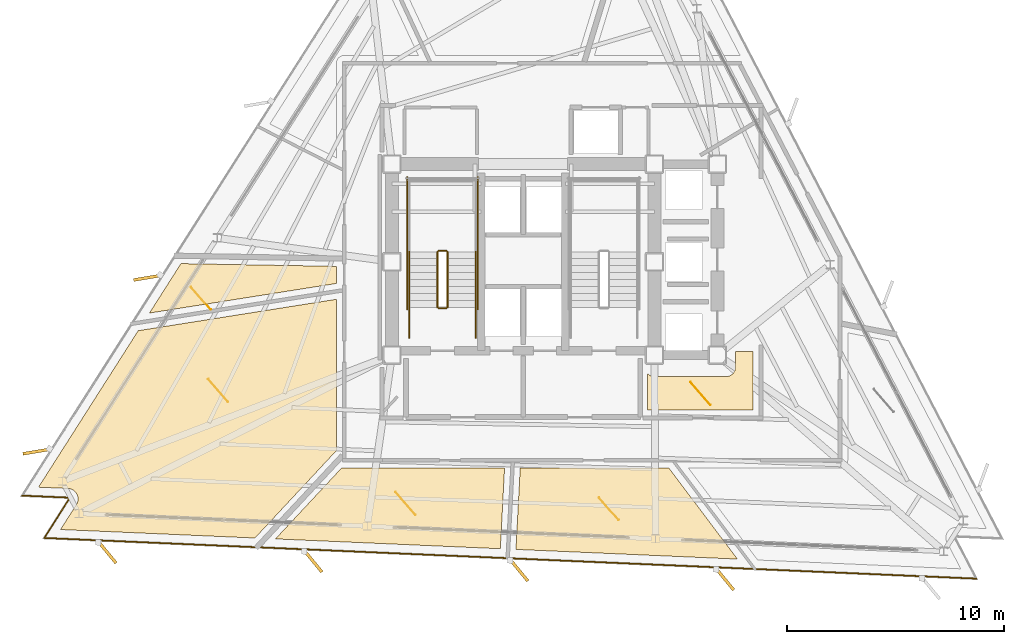
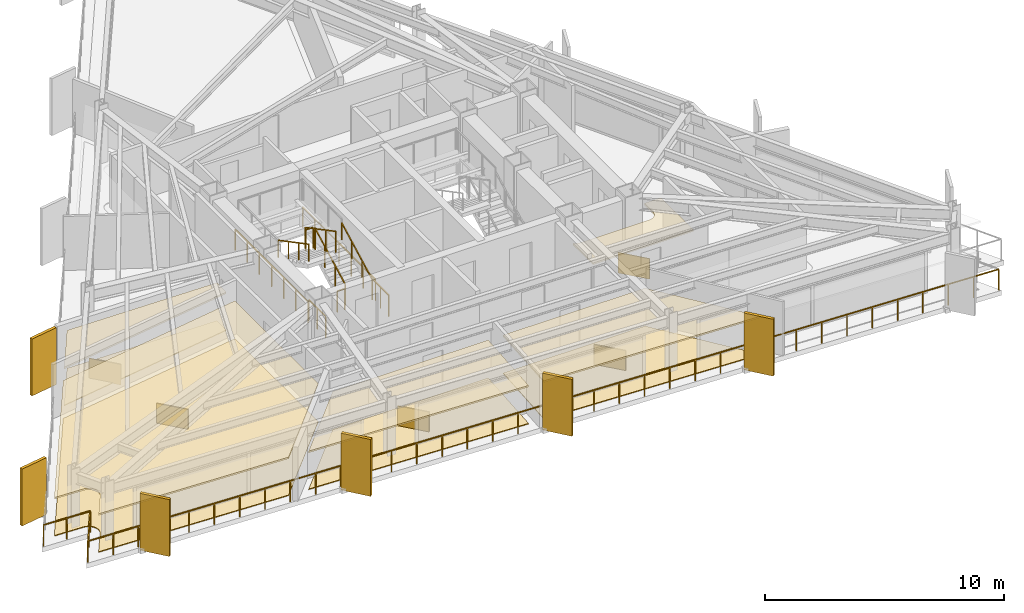
# One storey, part 10 of 12: 14 coverings, 11 railings, 6 shading devices.
"""IFC4 building model written with IfcOpenShell, lengths in metres."""

from ifc_helpers import new_model, si_unit, direction, frame, origin, origin_2d, place, context, subcontext, project, spatial, polyline, rectangle, outline, extrude, material, layer, layer_set, type_object, element, save


model = new_model("IFC4")

# Units and contexts
model_context = context("Model", 3, precision=1e-05, world=origin(), true_north=direction((0.0, 1.0)))
body_context = subcontext(model_context, "Body", "Model", "MODEL_VIEW")
ifc_project = project(units=[si_unit("LENGTHUNIT", "METRE"), si_unit("AREAUNIT", "SQUARE_METRE"), si_unit("VOLUMEUNIT", "CUBIC_METRE"), si_unit("PLANEANGLEUNIT", "RADIAN"), si_unit("MASSUNIT", "GRAM", prefix="KILO")], contexts=[model_context])

# Site, building, storey
site_placement = place(None, origin())
site = spatial("IfcSite", under=ifc_project, at=site_placement, CompositionType="ELEMENT")
building_placement = place(site_placement, origin())
building = spatial("IfcBuilding", under=site, at=building_placement, Name="Rocaltana Carrier Exchange", CompositionType="ELEMENT")
storey_placement = place(building_placement, frame((0.0, 0.0, 141.1201171875)))
storey = spatial("IfcBuildingStorey", under=building, at=storey_placement, Name="L44", CompositionType="ELEMENT", Elevation=141.1201171875)

# Coverings
ifc_material_1 = material(Name="Honed Bogota Sandstone Tile", Category="masonry")
ifc_layer_1 = layer(ifc_material_1, 0.0400390625)
ifc_layer_set_1 = layer_set([ifc_layer_1], Name="Honed Bogota Sandstone Tile")
covering_type_1 = type_object("IfcCoveringType", Name="Honed Stone Lobby Flooring 40", PredefinedType="FLOORING", material=ifc_layer_set_1)
covering_1_placement = place(storey_placement, origin())
element("IfcCovering", 1, at=covering_1_placement, inside=storey, type_object=covering_type_1, Name="L44 Client Reception Foyer Finish Floor", PredefinedType="FLOORING", context=body_context, shape_type="SweptSolid", body=[
    extrude(outline(polyline([(-15.77734375, -0.084716796875), (-8.610107421875, -0.209716796875), (-8.610107421875, -0.999267578125), (-17.229736328125, -2.364501953125), (-15.77734375, -0.084716796875)])), origin(), (0.0, 0.0, 1.0), 0.039794921875),
])
covering_2_placement = place(storey_placement, origin())
element("IfcCovering", 2, at=covering_2_placement, inside=storey, type_object=covering_type_1, Name="L44 Staff Break Pantry Finish Floor", PredefinedType="FLOORING", context=body_context, shape_type="SweptSolid", body=[
    extrude(outline(polyline([(-20.592041015625, -11.18798828125), (-20.584716796875, -11.176025390625), (-20.574951171875, -11.15869140625), (-20.562255859375, -11.1337890625), (-20.55419921875, -11.11572265625), (-20.544189453125, -11.089599609375), (-20.5380859375, -11.07080078125), (-20.530517578125, -11.043701171875), (-20.5263671875, -11.0244140625), (-20.521484375, -10.996826171875), (-20.519287109375, -10.97705078125), (-20.517333984375, -10.94921875), (-20.516845703125, -10.92919921875), (-20.517822265625, -10.9013671875), (-20.519287109375, -10.88134765625), (-20.523193359375, -10.853759765625), (-20.526611328125, -10.833984375), (-20.532958984375, -10.806884765625), (-20.53857421875, -10.787841796875), (-20.547607421875, -10.761474609375), (-20.554931640625, -10.742919921875), (-20.566650390625, -10.717529296875), (-20.575927734375, -10.69970703125), (-20.590087890625, -10.67578125), (-20.600830078125, -10.6591796875), (-20.6171875, -10.636474609375), (-20.6298828125, -10.62109375), (-20.6484375, -10.60009765625), (-20.66259765625, -10.5859375), (-20.68310546875, -10.567138671875), (-20.698486328125, -10.554443359375), (-20.720703125, -10.53759765625), (-20.7373046875, -10.526611328125), (-20.76123046875, -10.51220703125), (-20.77880859375, -10.502685546875), (-20.803955078125, -10.49072265625), (-20.822509765625, -10.483154296875), (-20.8486328125, -10.473876953125), (-20.867919921875, -10.468017578125), (-20.89501953125, -10.461181640625), (-20.91455078125, -10.45751953125), (-20.942138671875, -10.45361328125), (-20.9619140625, -10.45166015625), (-20.975830078125, -10.45068359375), (-22.34326171875, -10.39111328125), (-17.74609375, -3.17529296875), (-8.610107421875, -1.728271484375), (-8.610107421875, -8.705078125), (-12.36669921875, -12.733642578125), (-21.327392578125, -12.34228515625), (-20.592041015625, -11.18798828125)])), origin(), (0.0, 0.0, 1.0), 0.039794921875),
])
covering_3_placement = place(storey_placement, origin())
element("IfcCovering", 3, at=covering_3_placement, inside=storey, type_object=covering_type_1, Name="L44 Client Reception Foyer Finish Floor", PredefinedType="FLOORING", context=body_context, shape_type="SweptSolid", body=[
    extrude(outline(polyline([(-11.420654296875, -12.77490234375), (-8.359619140625, -9.49267578125), (-8.34130859375, -9.498291015625), (-8.33349609375, -9.5), (-8.306640625, -9.50537109375), (-8.298828125, -9.506591796875), (-8.271484375, -9.50927734375), (-8.263671875, -9.509765625), (-8.25, -9.510009765625), (-0.85888671875, -9.510009765625), (-1.0537109375, -13.2275390625), (-11.420654296875, -12.77490234375)])), origin(), (0.0, 0.0, 1.0), 0.039794921875),
])
covering_4_placement = place(storey_placement, origin())
element("IfcCovering", 4, at=covering_4_placement, inside=storey, type_object=covering_type_1, Name="L44 Cloud Architecture Office Finish Floor", PredefinedType="FLOORING", context=body_context, shape_type="SweptSolid", body=[
    extrude(outline(polyline([(-0.33447265625, -13.259033203125), (-0.137939453125, -9.510009765625), (6.715576171875, -9.510009765625), (9.87646484375, -13.704833984375), (-0.33447265625, -13.259033203125)])), origin(), (0.0, 0.0, 1.0), 0.039794921875),
])
ifc_material_2 = material(Name="Anodised Aluminium 6063-T6", Category="aluminium")
ifc_layer_2 = layer(ifc_material_2, 0.0849609375)
ifc_layer_set_2 = layer_set([ifc_layer_2], Name="Anodised Aluminium 6063-T6")
covering_type_2 = type_object("IfcCoveringType", Name="Linear Baffle Acoustic Ceiling 85", PredefinedType="CEILING", material=ifc_layer_set_2)
covering_5_placement = place(storey_placement, frame((0.0, 0.0, 1.892822265625)))
element("IfcCovering", 5, at=covering_5_placement, inside=storey, type_object=covering_type_2, Name="L44 Client Reception Foyer Acoustic Ceiling", PredefinedType="CEILING", context=body_context, shape_type="SweptSolid", body=[
    extrude(outline(polyline([(-15.77734375, -0.084716796875), (-8.610107421875, -0.209716796875), (-8.610107421875, -0.999267578125), (-17.229736328125, -2.364501953125), (-15.77734375, -0.084716796875)])), origin(), (0.0, 0.0, 1.0), 0.0849609375),
])
covering_6_placement = place(storey_placement, frame((0.0, 0.0, 1.892822265625)))
element("IfcCovering", 6, at=covering_6_placement, inside=storey, type_object=covering_type_2, Name="L44 Staff Break Pantry Acoustic Ceiling", PredefinedType="CEILING", context=body_context, shape_type="SweptSolid", body=[
    extrude(outline(polyline([(-20.592041015625, -11.18798828125), (-20.584716796875, -11.176025390625), (-20.574951171875, -11.15869140625), (-20.562255859375, -11.1337890625), (-20.55419921875, -11.11572265625), (-20.544189453125, -11.089599609375), (-20.5380859375, -11.07080078125), (-20.530517578125, -11.043701171875), (-20.5263671875, -11.0244140625), (-20.521484375, -10.996826171875), (-20.519287109375, -10.97705078125), (-20.517333984375, -10.94921875), (-20.516845703125, -10.92919921875), (-20.517822265625, -10.9013671875), (-20.519287109375, -10.88134765625), (-20.523193359375, -10.853759765625), (-20.526611328125, -10.833984375), (-20.532958984375, -10.806884765625), (-20.53857421875, -10.787841796875), (-20.547607421875, -10.761474609375), (-20.554931640625, -10.742919921875), (-20.566650390625, -10.717529296875), (-20.575927734375, -10.69970703125), (-20.590087890625, -10.67578125), (-20.600830078125, -10.6591796875), (-20.6171875, -10.636474609375), (-20.6298828125, -10.62109375), (-20.6484375, -10.60009765625), (-20.66259765625, -10.5859375), (-20.68310546875, -10.567138671875), (-20.698486328125, -10.554443359375), (-20.720703125, -10.53759765625), (-20.7373046875, -10.526611328125), (-20.76123046875, -10.51220703125), (-20.77880859375, -10.502685546875), (-20.803955078125, -10.49072265625), (-20.822509765625, -10.483154296875), (-20.8486328125, -10.473876953125), (-20.867919921875, -10.468017578125), (-20.89501953125, -10.461181640625), (-20.91455078125, -10.45751953125), (-20.942138671875, -10.45361328125), (-20.9619140625, -10.45166015625), (-20.975830078125, -10.45068359375), (-22.34326171875, -10.39111328125), (-17.74609375, -3.17529296875), (-8.610107421875, -1.728271484375), (-8.610107421875, -8.705078125), (-12.36669921875, -12.733642578125), (-21.327392578125, -12.34228515625), (-20.592041015625, -11.18798828125)])), origin(), (0.0, 0.0, 1.0), 0.0849609375),
])
covering_7_placement = place(storey_placement, frame((0.0, 0.0, 1.892822265625)))
element("IfcCovering", 7, at=covering_7_placement, inside=storey, type_object=covering_type_2, Name="L44 Client Reception Foyer Acoustic Ceiling", PredefinedType="CEILING", context=body_context, shape_type="SweptSolid", body=[
    extrude(outline(polyline([(-11.420654296875, -12.77490234375), (-8.359619140625, -9.49267578125), (-8.34130859375, -9.498291015625), (-8.33349609375, -9.5), (-8.306640625, -9.50537109375), (-8.298828125, -9.506591796875), (-8.271484375, -9.50927734375), (-8.263671875, -9.509765625), (-8.25, -9.510009765625), (-0.85888671875, -9.510009765625), (-1.0537109375, -13.2275390625), (-11.420654296875, -12.77490234375)])), origin(), (0.0, 0.0, 1.0), 0.0849609375),
])
covering_8_placement = place(storey_placement, frame((0.0, 0.0, 1.892822265625)))
element("IfcCovering", 8, at=covering_8_placement, inside=storey, type_object=covering_type_2, Name="L44 Cloud Architecture Office Acoustic Ceiling", PredefinedType="CEILING", context=body_context, shape_type="SweptSolid", body=[
    extrude(outline(polyline([(-0.33447265625, -13.259033203125), (-0.137939453125, -9.510009765625), (6.715576171875, -9.510009765625), (9.87646484375, -13.704833984375), (-0.33447265625, -13.259033203125)])), origin(), (0.0, 0.0, 1.0), 0.0849609375),
])
covering_9_placement = place(storey_placement, frame((0.0, 0.0, 1.892822265625)))
element("IfcCovering", 9, at=covering_9_placement, inside=storey, type_object=covering_type_2, Name="L44 Peering Conference Room Acoustic Ceiling", PredefinedType="CEILING", context=body_context, shape_type="SweptSolid", body=[
    extrude(outline(polyline([(5.739990234375, -6.840087890625), (5.739990234375, -5.161865234375), (5.748779296875, -5.170654296875), (5.760498046875, -5.18115234375), (5.78173828125, -5.198486328125), (5.794189453125, -5.2080078125), (5.817138671875, -5.22314453125), (5.83056640625, -5.231201171875), (5.85498046875, -5.244140625), (5.869140625, -5.2509765625), (5.894287109375, -5.261474609375), (5.9091796875, -5.2666015625), (5.935546875, -5.274658203125), (5.95068359375, -5.278564453125), (5.977783203125, -5.283935546875), (5.9931640625, -5.2861328125), (6.0205078125, -5.288818359375), (6.036376953125, -5.289794921875), (6.050048828125, -5.2900390625), (9.35009765625, -5.2900390625), (9.36376953125, -5.289794921875), (9.37939453125, -5.288818359375), (9.40673828125, -5.2861328125), (9.42236328125, -5.283935546875), (9.44921875, -5.278564453125), (9.464599609375, -5.274658203125), (9.49072265625, -5.2666015625), (9.505615234375, -5.261474609375), (9.531005859375, -5.2509765625), (9.545166015625, -5.244140625), (9.5693359375, -5.231201171875), (9.582763671875, -5.22314453125), (9.605712890625, -5.2080078125), (9.618408203125, -5.198486328125), (9.639404296875, -5.18115234375), (9.651123046875, -5.170654296875), (9.670654296875, -5.151123046875), (9.68115234375, -5.139404296875), (9.698486328125, -5.118408203125), (9.7080078125, -5.105712890625), (9.72314453125, -5.082763671875), (9.731201171875, -5.0693359375), (9.744140625, -5.045166015625), (9.7509765625, -5.031005859375), (9.761474609375, -5.005615234375), (9.7666015625, -4.99072265625), (9.774658203125, -4.964599609375), (9.778564453125, -4.94921875), (9.783935546875, -4.92236328125), (9.7861328125, -4.90673828125), (9.788818359375, -4.87939453125), (9.789794921875, -4.86376953125), (9.7900390625, -4.85009765625), (9.7900390625, -4.139892578125), (10.60009765625, -4.139892578125), (10.60009765625, -6.840087890625), (5.739990234375, -6.840087890625)])), origin(), (0.0, 0.0, 1.0), 0.0849609375),
])

# Railings
ifc_material_3 = material(Name="Brushed Architectural Stainless Tube", Category="steel")
ifc_layer_3 = layer(ifc_material_3, 0.048095703125)
ifc_layer_set_3 = layer_set([ifc_layer_3], Name="Brushed Architectural Stainless Tube")
railing_type_1 = type_object("IfcRailingType", Name="Stair Wall Handrail 920", PredefinedType="HANDRAIL", material=ifc_layer_set_3)
railing_1_placement = place(storey_placement, frame((-2.18994140625, -2.10009765625, 0.168701171875)))
element("IfcRailing", 10, at=railing_1_placement, inside=storey, type_object=railing_type_1, Name="L44 ST-1 stair handrail 1", PredefinedType="HANDRAIL", context=body_context, shape_type="SweptSolid", body=[
    extrude(rectangle(XDim=0.048095703125, YDim=0.048095703125, at=origin_2d()), frame((0.0, 0.0, 0.8759765625), z_axis=(0.0, 0.884394423565, 0.466740295633), x_axis=(-1.0, 0.0, 0.0)), (0.0, 0.0, 1.0), 2.894775390625),
    extrude(rectangle(XDim=0.0419921875, YDim=0.0419921875, at=origin_2d()), origin(), (0.0, 0.0, 1.0), 0.851806640625),
    extrude(rectangle(XDim=0.0419921875, YDim=0.0419921875, at=origin_2d()), frame((0.0, 0.853271484375, 0.450439453125)), (0.0, 0.0, 1.0), 0.851806640625),
    extrude(rectangle(XDim=0.0419921875, YDim=0.0419921875, at=origin_2d()), frame((0.0, 1.706787109375, 0.900634765625)), (0.0, 0.0, 1.0), 0.851806640625),
    extrude(rectangle(XDim=0.0419921875, YDim=0.0419921875, at=origin_2d()), frame((0.0, 2.56005859375, 1.35107421875)), (0.0, 0.0, 1.0), 0.851806640625),
])
railing_2_placement = place(storey_placement, frame((-5.25, 0.4599609375, 1.688720703125)))
element("IfcRailing", 11, at=railing_2_placement, inside=storey, type_object=railing_type_1, Name="L44 ST-1 stair handrail 2", PredefinedType="HANDRAIL", context=body_context, shape_type="SweptSolid", body=[
    extrude(rectangle(XDim=0.048095703125, YDim=0.048095703125, at=origin_2d()), frame((0.0, 0.0, 0.8759765625), z_axis=(0.0, -0.884394423565, 0.466740295633), x_axis=(1.0, 0.0, 0.0)), (0.0, 0.0, 1.0), 2.894775390625),
    extrude(rectangle(XDim=0.0419921875, YDim=0.0419921875, at=origin_2d()), origin(), (0.0, 0.0, 1.0), 0.851806640625),
    extrude(rectangle(XDim=0.0419921875, YDim=0.0419921875, at=origin_2d()), frame((0.0, -0.853271484375, 0.450439453125)), (0.0, 0.0, 1.0), 0.851806640625),
    extrude(rectangle(XDim=0.0419921875, YDim=0.0419921875, at=origin_2d()), frame((0.0, -1.706787109375, 0.900634765625)), (0.0, 0.0, 1.0), 0.851806640625),
    extrude(rectangle(XDim=0.0419921875, YDim=0.0419921875, at=origin_2d()), frame((0.0, -2.56005859375, 1.35107421875)), (0.0, 0.0, 1.0), 0.851806640625),
])
ifc_material_4 = material(Name="Powder-Coated Aluminium 6063-T6", Category="aluminium")
ifc_layer_4 = layer(ifc_material_4, 0.048095703125)
ifc_layer_set_4 = layer_set([ifc_layer_4], Name="Powder-Coated Aluminium 6063-T6")
railing_type_2 = type_object("IfcRailingType", Name="Stair Well Guardrail 1100", PredefinedType="GUARDRAIL", material=ifc_layer_set_4)
railing_3_placement = place(storey_placement, frame((-3.489990234375, -2.10009765625, 0.168701171875)))
element("IfcRailing", 12, at=railing_3_placement, inside=storey, type_object=railing_type_2, Name="L44 ST-1 stair guard 1", PredefinedType="GUARDRAIL", context=body_context, shape_type="SweptSolid", body=[
    extrude(rectangle(XDim=0.048095703125, YDim=0.048095703125, at=origin_2d()), frame((0.0, 0.0, 1.076171875), z_axis=(0.0, 0.884394423565, 0.466740295633), x_axis=(-1.0, 0.0, 0.0)), (0.0, 0.0, 1.0), 2.894775390625),
    extrude(rectangle(XDim=0.0419921875, YDim=0.0419921875, at=origin_2d()), origin(), (0.0, 0.0, 1.0), 1.052001953125),
    extrude(rectangle(XDim=0.0419921875, YDim=0.0419921875, at=origin_2d()), frame((0.0, 0.853271484375, 0.450439453125)), (0.0, 0.0, 1.0), 1.052001953125),
    extrude(rectangle(XDim=0.0419921875, YDim=0.0419921875, at=origin_2d()), frame((0.0, 1.706787109375, 0.900634765625)), (0.0, 0.0, 1.0), 1.052001953125),
    extrude(rectangle(XDim=0.0419921875, YDim=0.0419921875, at=origin_2d()), frame((0.0, 2.56005859375, 1.35107421875)), (0.0, 0.0, 1.0), 1.052001953125),
])
railing_4_placement = place(storey_placement, frame((-3.5400390625, 0.510009765625, 1.519775390625)))
element("IfcRailing", 13, at=railing_4_placement, inside=storey, type_object=railing_type_2, Name="L44 ST-1 stair guard 2", PredefinedType="GUARDRAIL", context=body_context, shape_type="SweptSolid", body=[
    extrude(rectangle(XDim=0.048095703125, YDim=0.048095703125, at=origin_2d()), frame((0.0, 0.0, 1.076171875), z_axis=(-1.0, 0.0, 0.0), x_axis=(0.0, -1.0, 0.0)), (0.0, 0.0, 1.0), 0.35986328125),
    extrude(rectangle(XDim=0.0419921875, YDim=0.0419921875, at=origin_2d()), origin(), (0.0, 0.0, 1.0), 1.052001953125),
    extrude(rectangle(XDim=0.0419921875, YDim=0.0419921875, at=origin_2d()), frame((-0.35986328125, 0.0, 0.0)), (0.0, 0.0, 1.0), 1.052001953125),
])
railing_5_placement = place(storey_placement, frame((-3.949951171875, 0.4599609375, 1.688720703125)))
element("IfcRailing", 14, at=railing_5_placement, inside=storey, type_object=railing_type_2, Name="L44 ST-1 stair guard 6", PredefinedType="GUARDRAIL", context=body_context, shape_type="SweptSolid", body=[
    extrude(rectangle(XDim=0.048095703125, YDim=0.048095703125, at=origin_2d()), frame((0.0, 0.0, 1.076171875), z_axis=(0.0, -0.884394423565, 0.466740295633), x_axis=(1.0, 0.0, 0.0)), (0.0, 0.0, 1.0), 2.894775390625),
    extrude(rectangle(XDim=0.0419921875, YDim=0.0419921875, at=origin_2d()), origin(), (0.0, 0.0, 1.0), 1.052001953125),
    extrude(rectangle(XDim=0.0419921875, YDim=0.0419921875, at=origin_2d()), frame((0.0, -0.853271484375, 0.450439453125)), (0.0, 0.0, 1.0), 1.052001953125),
    extrude(rectangle(XDim=0.0419921875, YDim=0.0419921875, at=origin_2d()), frame((0.0, -1.706787109375, 0.900634765625)), (0.0, 0.0, 1.0), 1.052001953125),
    extrude(rectangle(XDim=0.0419921875, YDim=0.0419921875, at=origin_2d()), frame((0.0, -2.56005859375, 1.35107421875)), (0.0, 0.0, 1.0), 1.052001953125),
])
railing_6_placement = place(storey_placement, frame((-3.5400390625, -2.14990234375, 0.0)))
element("IfcRailing", 15, at=railing_6_placement, inside=storey, type_object=railing_type_2, Name="L44 ST-1 stair guard 7", PredefinedType="GUARDRAIL", context=body_context, shape_type="SweptSolid", body=[
    extrude(rectangle(XDim=0.048095703125, YDim=0.048095703125, at=origin_2d()), frame((0.0, 0.0, 1.076171875), z_axis=(-1.0, 0.0, 0.0), x_axis=(0.0, -1.0, 0.0)), (0.0, 0.0, 1.0), 0.35986328125),
    extrude(rectangle(XDim=0.0419921875, YDim=0.0419921875, at=origin_2d()), origin(), (0.0, 0.0, 1.0), 1.052001953125),
    extrude(rectangle(XDim=0.0419921875, YDim=0.0419921875, at=origin_2d()), frame((-0.35986328125, 0.0, 0.0)), (0.0, 0.0, 1.0), 1.052001953125),
])
for number, where, name in (
    (16, (-2.18994140625, -3.5, 0.0), "L44 ST-1 stair guard 8"),
    (17, (-5.25, -3.5, 0.0), "L44 ST-1 stair guard 9"),
):
    element("IfcRailing", number, at=place(storey_placement, frame(where)), inside=storey, type_object=railing_type_2, Name=name, PredefinedType="GUARDRAIL", context=body_context, shape_type="SweptSolid", body=[
        extrude(rectangle(XDim=0.048095703125, YDim=0.048095703125, at=origin_2d()), frame((0.0, 0.0, 1.076171875), z_axis=(0.0, 1.0, 0.0), x_axis=(-1.0, 0.0, 0.0)), (0.0, 0.0, 1.0), 1.39990234375),
        extrude(rectangle(XDim=0.0419921875, YDim=0.0419921875, at=origin_2d()), origin(), (0.0, 0.0, 1.0), 1.052001953125),
        extrude(rectangle(XDim=0.0419921875, YDim=0.0419921875, at=origin_2d()), frame((0.0, 0.699951171875, 0.0)), (0.0, 0.0, 1.0), 1.052001953125),
        extrude(rectangle(XDim=0.0419921875, YDim=0.0419921875, at=origin_2d()), frame((0.0, 1.39990234375, 0.0)), (0.0, 0.0, 1.0), 1.052001953125),
    ])
for number, where, name in (
    (18, (-2.090087890625, -2.199951171875, 0.0), "L44 ST-1 stair guard 10"),
    (19, (-5.35009765625, -2.199951171875, 0.0), "L44 ST-1 stair guard 11"),
):
    element("IfcRailing", number, at=place(storey_placement, frame(where)), inside=storey, type_object=railing_type_2, Name=name, PredefinedType="GUARDRAIL", context=body_context, shape_type="SweptSolid", body=[
        extrude(rectangle(XDim=0.048095703125, YDim=0.048095703125, at=origin_2d()), frame((0.0, 0.0, 1.076171875), z_axis=(0.0, 1.0, 0.0), x_axis=(-1.0, 0.0, 0.0)), (0.0, 0.0, 1.0), 6.099853515625),
        extrude(rectangle(XDim=0.0419921875, YDim=0.0419921875, at=origin_2d()), origin(), (0.0, 0.0, 1.0), 1.052001953125),
        extrude(rectangle(XDim=0.0419921875, YDim=0.0419921875, at=origin_2d()), frame((0.0, 1.0166015625, 0.0)), (0.0, 0.0, 1.0), 1.052001953125),
        extrude(rectangle(XDim=0.0419921875, YDim=0.0419921875, at=origin_2d()), frame((0.0, 2.033203125, 0.0)), (0.0, 0.0, 1.0), 1.052001953125),
        extrude(rectangle(XDim=0.0419921875, YDim=0.0419921875, at=origin_2d()), frame((0.0, 3.0498046875, 0.0)), (0.0, 0.0, 1.0), 1.052001953125),
        extrude(rectangle(XDim=0.0419921875, YDim=0.0419921875, at=origin_2d()), frame((0.0, 4.066650390625, 0.0)), (0.0, 0.0, 1.0), 1.052001953125),
        extrude(rectangle(XDim=0.0419921875, YDim=0.0419921875, at=origin_2d()), frame((0.0, 5.083251953125, 0.0)), (0.0, 0.0, 1.0), 1.052001953125),
        extrude(rectangle(XDim=0.0419921875, YDim=0.0419921875, at=origin_2d()), frame((0.0, 6.099853515625, 0.0)), (0.0, 0.0, 1.0), 1.052001953125),
    ])

# Coverings
ifc_material_5 = material(Name="Honed Piedra Muneca Sandstone", Category="masonry")
ifc_layer_5 = layer(ifc_material_5, 0.034912109375)
ifc_layer_set_5 = layer_set([ifc_layer_5], Name="Honed Piedra Muneca Sandstone")
covering_type_3 = type_object("IfcCoveringType", Name="Stone Facade Cladding 35", PredefinedType="CLADDING", material=ifc_layer_set_5)
for number, where, z_axis, x_axis, name in (
    (20, (-14.857421875, -1.681884765625, 0.0), (0.0, 0.0, 1.0), (-0.656059028991, 0.754709580223, 0.0), "L44 Stone Facade Cladding Panel 1"),
    (21, (-14.058837890625, -5.940185546875, 0.0), (0.0, 0.0, 1.0), (-0.656059028991, 0.754709580223, 0.0), "L44 Stone Facade Cladding Panel 2"),
    (22, (-5.42138671875, -11.142578125, 0.0), (0.0, 0.0, 1.0), (-0.656059028991, 0.754709580223, 0.0), "L44 Stone Facade Cladding Panel 3"),
    (23, (3.946044921875, -11.384521484375, 0.0), (0.0, 0.0, 1.0), (-0.656059028991, 0.754709580223, 0.0), "L44 Stone Facade Cladding Panel 4"),
    (24, (8.169921875, -6.06494140625, 0.0), (0.0, 0.0, 1.0), (-0.656059028991, 0.754709580223, 0.0), "L44 Stone Facade Cladding Panel 5"),
):
    element("IfcCovering", number, at=place(storey_placement, frame(where, z_axis=z_axis, x_axis=x_axis)), inside=storey, type_object=covering_type_3, Name=name, PredefinedType="CLADDING", context=body_context, shape_type="SweptSolid", body=[
        extrude(rectangle(XDim=1.39990234375, YDim=0.034912109375, at=origin_2d()), origin(), (0.0, 0.0, 1.0), 1.050048828125),
    ])

# Shading devices
ifc_material_6 = material(Name="Honed Bogota Sandstone & Concrete C45/55", Category="masonry")
ifc_layer_6 = layer(ifc_material_6, 0.139892578125)
ifc_layer_set_6 = layer_set([ifc_layer_6], Name="Honed Bogota Sandstone & Concrete C45/55")
shading_device_type = type_object("IfcShadingDeviceType", Name="Vertical Sandstone Shading Fin 1320x140", PredefinedType="USERDEFINED", material=ifc_layer_set_6)
for number, where, z_axis, x_axis, name in (
    (25, (-17.3046875, -0.7314453125, -0.1201171875), (0.0, 0.0, 1.0), (-0.986285601537, -0.165047605861, 0.0), "L44 Sandstone Vertical Fin F2-04"),
    (26, (-22.4091796875, -8.743896484375, -0.1201171875), (0.0, 0.0, 1.0), (-0.986285601537, -0.165047605861, 0.0), "L44 Sandstone Vertical Fin F2-05"),
    (27, (-19.18701171875, -13.37744140625, -0.1201171875), (0.0, 0.0, 1.0), (0.636078220278, -0.771624583388, 0.0), "L44 Sandstone Vertical Fin F3-01"),
    (28, (-9.696044921875, -13.7919921875, -0.1201171875), (0.0, 0.0, 1.0), (0.636078220278, -0.771624583388, 0.0), "L44 Sandstone Vertical Fin F3-02"),
    (29, (-0.205078125, -14.206298828125, -0.1201171875), (0.0, 0.0, 1.0), (0.636078220278, -0.771624583388, 0.0), "L44 Sandstone Vertical Fin F3-03"),
    (30, (9.285888671875, -14.62060546875, -0.1201171875), (0.0, 0.0, 1.0), (0.636078220278, -0.771624583388, 0.0), "L44 Sandstone Vertical Fin F3-04"),
):
    element("IfcShadingDevice", number, at=place(storey_placement, frame(where, z_axis=z_axis, x_axis=x_axis)), inside=storey, type_object=shading_device_type, Name=name, ObjectType="FIN", PredefinedType="USERDEFINED", context=body_context, shape_type="SweptSolid", body=[
        extrude(rectangle(XDim=1.320068359375, YDim=0.139892578125, at=origin_2d()), origin(), (0.0, 0.0, 1.0), 2.907958984375),
    ])

# Railing
ifc_material_7 = material(Name="Powder-Coated Aluminium 6063-T6", Category="aluminium")
ifc_layer_7 = layer(ifc_material_7, 0.06005859375)
ifc_layer_set_7 = layer_set([ifc_layer_7], Name="Powder-Coated Aluminium 6063-T6")
railing_type_3 = type_object("IfcRailingType", Name="Wind-Floor & Terrace Perimeter Guardrail 1100", PredefinedType="GUARDRAIL", material=ifc_layer_set_7)
railing_7_placement = place(storey_placement, frame((20.87890625, -14.60546875, 0.0)))
element("IfcRailing", 31, at=railing_7_placement, inside=storey, type_object=railing_type_3, Name="L44 Perimeter Balcony Guardrail 1", PredefinedType="GUARDRAIL", context=body_context, shape_type="SweptSolid", body=[
    extrude(rectangle(XDim=0.048095703125, YDim=0.048095703125, at=origin_2d()), frame((0.0, 0.0, 1.076171875), z_axis=(-0.999048277514, 0.043618106279, 0.0), x_axis=(-0.043618106279, -0.999048277514, 0.0)), (0.0, 0.0, 1.0), 42.992431640625),
    extrude(rectangle(XDim=0.048095703125, YDim=0.048095703125, at=origin_2d()), frame((-42.951416015625, 1.875244140625, 1.076171875), z_axis=(0.537320606179, 0.843378068351, 0.0), x_axis=(-0.843378068351, 0.537320606179, 0.0)), (0.0, 0.0, 1.0), 2.199951171875),
    extrude(rectangle(XDim=0.048095703125, YDim=0.048095703125, at=origin_2d()), frame((-41.769287109375, 3.730712890625, 1.076171875), z_axis=(-0.999048605837, 0.043610585593, 0.0), x_axis=(-0.043610585593, -0.999048605837, 0.0)), (0.0, 0.0, 1.0), 2.2001953125),
    extrude(rectangle(XDim=0.0419921875, YDim=0.0419921875, at=origin_2d()), origin(), (0.0, 0.0, 1.0), 1.052001953125),
    extrude(rectangle(XDim=0.0419921875, YDim=0.0419921875, at=origin_2d()), frame((-1.193115234375, 0.052001953125, 0.0)), (0.0, 0.0, 1.0), 1.052001953125),
    extrude(rectangle(XDim=0.0419921875, YDim=0.0419921875, at=origin_2d()), frame((-2.38623046875, 0.104248046875, 0.0)), (0.0, 0.0, 1.0), 1.052001953125),
    extrude(rectangle(XDim=0.0419921875, YDim=0.0419921875, at=origin_2d()), frame((-3.579345703125, 0.15625, 0.0)), (0.0, 0.0, 1.0), 1.052001953125),
    extrude(rectangle(XDim=0.0419921875, YDim=0.0419921875, at=origin_2d()), frame((-4.7724609375, 0.208251953125, 0.0)), (0.0, 0.0, 1.0), 1.052001953125),
    extrude(rectangle(XDim=0.0419921875, YDim=0.0419921875, at=origin_2d()), frame((-5.965576171875, 0.260498046875, 0.0)), (0.0, 0.0, 1.0), 1.052001953125),
    extrude(rectangle(XDim=0.0419921875, YDim=0.0419921875, at=origin_2d()), frame((-7.15869140625, 0.3125, 0.0)), (0.0, 0.0, 1.0), 1.052001953125),
    extrude(rectangle(XDim=0.0419921875, YDim=0.0419921875, at=origin_2d()), frame((-8.3515625, 0.36474609375, 0.0)), (0.0, 0.0, 1.0), 1.052001953125),
    extrude(rectangle(XDim=0.0419921875, YDim=0.0419921875, at=origin_2d()), frame((-9.544677734375, 0.416748046875, 0.0)), (0.0, 0.0, 1.0), 1.052001953125),
    extrude(rectangle(XDim=0.0419921875, YDim=0.0419921875, at=origin_2d()), frame((-10.73779296875, 0.46875, 0.0)), (0.0, 0.0, 1.0), 1.052001953125),
    extrude(rectangle(XDim=0.0419921875, YDim=0.0419921875, at=origin_2d()), frame((-11.930908203125, 0.52099609375, 0.0)), (0.0, 0.0, 1.0), 1.052001953125),
    extrude(rectangle(XDim=0.0419921875, YDim=0.0419921875, at=origin_2d()), frame((-13.1240234375, 0.572998046875, 0.0)), (0.0, 0.0, 1.0), 1.052001953125),
    extrude(rectangle(XDim=0.0419921875, YDim=0.0419921875, at=origin_2d()), frame((-14.317138671875, 0.625, 0.0)), (0.0, 0.0, 1.0), 1.052001953125),
    extrude(rectangle(XDim=0.0419921875, YDim=0.0419921875, at=origin_2d()), frame((-15.51025390625, 0.67724609375, 0.0)), (0.0, 0.0, 1.0), 1.052001953125),
    extrude(rectangle(XDim=0.0419921875, YDim=0.0419921875, at=origin_2d()), frame((-16.703369140625, 0.729248046875, 0.0)), (0.0, 0.0, 1.0), 1.052001953125),
    extrude(rectangle(XDim=0.0419921875, YDim=0.0419921875, at=origin_2d()), frame((-17.896484375, 0.78125, 0.0)), (0.0, 0.0, 1.0), 1.052001953125),
    extrude(rectangle(XDim=0.0419921875, YDim=0.0419921875, at=origin_2d()), frame((-19.089599609375, 0.83349609375, 0.0)), (0.0, 0.0, 1.0), 1.052001953125),
    extrude(rectangle(XDim=0.0419921875, YDim=0.0419921875, at=origin_2d()), frame((-20.28271484375, 0.885498046875, 0.0)), (0.0, 0.0, 1.0), 1.052001953125),
    extrude(rectangle(XDim=0.0419921875, YDim=0.0419921875, at=origin_2d()), frame((-21.4755859375, 0.9375, 0.0)), (0.0, 0.0, 1.0), 1.052001953125),
    extrude(rectangle(XDim=0.0419921875, YDim=0.0419921875, at=origin_2d()), frame((-22.668701171875, 0.98974609375, 0.0)), (0.0, 0.0, 1.0), 1.052001953125),
    extrude(rectangle(XDim=0.0419921875, YDim=0.0419921875, at=origin_2d()), frame((-23.86181640625, 1.041748046875, 0.0)), (0.0, 0.0, 1.0), 1.052001953125),
    extrude(rectangle(XDim=0.0419921875, YDim=0.0419921875, at=origin_2d()), frame((-25.054931640625, 1.093994140625, 0.0)), (0.0, 0.0, 1.0), 1.052001953125),
    extrude(rectangle(XDim=0.0419921875, YDim=0.0419921875, at=origin_2d()), frame((-26.248046875, 1.14599609375, 0.0)), (0.0, 0.0, 1.0), 1.052001953125),
    extrude(rectangle(XDim=0.0419921875, YDim=0.0419921875, at=origin_2d()), frame((-27.441162109375, 1.197998046875, 0.0)), (0.0, 0.0, 1.0), 1.052001953125),
    extrude(rectangle(XDim=0.0419921875, YDim=0.0419921875, at=origin_2d()), frame((-28.63427734375, 1.250244140625, 0.0)), (0.0, 0.0, 1.0), 1.052001953125),
    extrude(rectangle(XDim=0.0419921875, YDim=0.0419921875, at=origin_2d()), frame((-29.827392578125, 1.30224609375, 0.0)), (0.0, 0.0, 1.0), 1.052001953125),
    extrude(rectangle(XDim=0.0419921875, YDim=0.0419921875, at=origin_2d()), frame((-31.0205078125, 1.354248046875, 0.0)), (0.0, 0.0, 1.0), 1.052001953125),
    extrude(rectangle(XDim=0.0419921875, YDim=0.0419921875, at=origin_2d()), frame((-32.213623046875, 1.406494140625, 0.0)), (0.0, 0.0, 1.0), 1.052001953125),
    extrude(rectangle(XDim=0.0419921875, YDim=0.0419921875, at=origin_2d()), frame((-33.40673828125, 1.45849609375, 0.0)), (0.0, 0.0, 1.0), 1.052001953125),
    extrude(rectangle(XDim=0.0419921875, YDim=0.0419921875, at=origin_2d()), frame((-34.599853515625, 1.510498046875, 0.0)), (0.0, 0.0, 1.0), 1.052001953125),
    extrude(rectangle(XDim=0.0419921875, YDim=0.0419921875, at=origin_2d()), frame((-35.79296875, 1.562744140625, 0.0)), (0.0, 0.0, 1.0), 1.052001953125),
    extrude(rectangle(XDim=0.0419921875, YDim=0.0419921875, at=origin_2d()), frame((-36.98583984375, 1.61474609375, 0.0)), (0.0, 0.0, 1.0), 1.052001953125),
    extrude(rectangle(XDim=0.0419921875, YDim=0.0419921875, at=origin_2d()), frame((-38.178955078125, 1.6669921875, 0.0)), (0.0, 0.0, 1.0), 1.052001953125),
    extrude(rectangle(XDim=0.0419921875, YDim=0.0419921875, at=origin_2d()), frame((-39.3720703125, 1.718994140625, 0.0)), (0.0, 0.0, 1.0), 1.052001953125),
    extrude(rectangle(XDim=0.0419921875, YDim=0.0419921875, at=origin_2d()), frame((-40.565185546875, 1.77099609375, 0.0)), (0.0, 0.0, 1.0), 1.052001953125),
    extrude(rectangle(XDim=0.0419921875, YDim=0.0419921875, at=origin_2d()), frame((-41.75830078125, 1.8232421875, 0.0)), (0.0, 0.0, 1.0), 1.052001953125),
    extrude(rectangle(XDim=0.0419921875, YDim=0.0419921875, at=origin_2d()), frame((-42.951416015625, 1.875244140625, 0.0)), (0.0, 0.0, 1.0), 1.052001953125),
    extrude(rectangle(XDim=0.0419921875, YDim=0.0419921875, at=origin_2d()), frame((-42.3603515625, 2.802978515625, 0.0)), (0.0, 0.0, 1.0), 1.052001953125),
    extrude(rectangle(XDim=0.0419921875, YDim=0.0419921875, at=origin_2d()), frame((-41.769287109375, 3.730712890625, 0.0)), (0.0, 0.0, 1.0), 1.052001953125),
    extrude(rectangle(XDim=0.0419921875, YDim=0.0419921875, at=origin_2d()), frame((-42.8681640625, 3.77880859375, 0.0)), (0.0, 0.0, 1.0), 1.052001953125),
    extrude(rectangle(XDim=0.0419921875, YDim=0.0419921875, at=origin_2d()), frame((-43.96728515625, 3.82666015625, 0.0)), (0.0, 0.0, 1.0), 1.052001953125),
])

save(model, "model.ifc")
